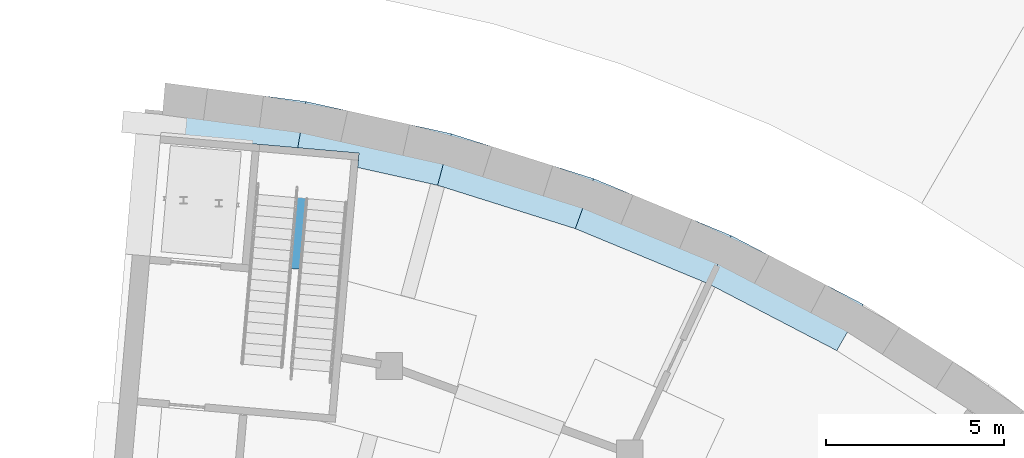
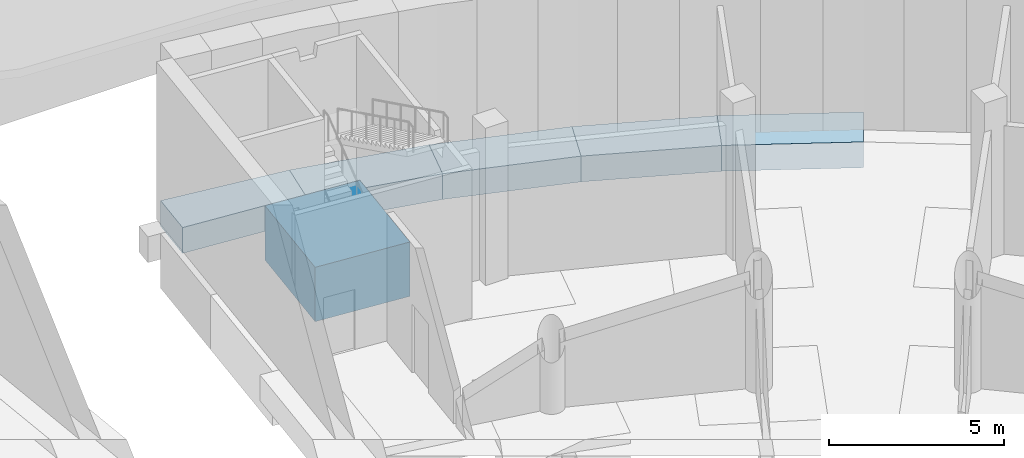
# One storey, part 7 of 65: 6 footings.
"""IFC4 building model written with IfcOpenShell, lengths in metres."""

from ifc_helpers import new_model, si_unit, direction, frame, origin, place, context, subcontext, project, spatial, polyline, outline, extrude, material, type_object, element, save


model = new_model("IFC4")

# Units and contexts
model_context = context("Model", 3, precision=1e-05, world=origin(), true_north=direction((0.0, 1.0)))
body_context = subcontext(model_context, "Body", "Model", "MODEL_VIEW")
ifc_project = project(units=[si_unit("LENGTHUNIT", "METRE"), si_unit("AREAUNIT", "SQUARE_METRE"), si_unit("VOLUMEUNIT", "CUBIC_METRE"), si_unit("PLANEANGLEUNIT", "RADIAN"), si_unit("MASSUNIT", "GRAM", prefix="KILO")], contexts=[model_context])

# Site, building, storey
site_placement = place(None, origin())
site = spatial("IfcSite", under=ifc_project, at=site_placement, CompositionType="ELEMENT")
building_placement = place(site_placement, origin())
building = spatial("IfcBuilding", under=site, at=building_placement, Name="Volute Hill Aquarium", CompositionType="ELEMENT")
storey_placement = place(building_placement, frame((0.0, 0.0, -5.5)))
storey = spatial("IfcBuildingStorey", under=building, at=storey_placement, Name="L00", CompositionType="ELEMENT", Elevation=-5.5)

# Footings
ifc_material_1 = material(Name="Concrete C30/37", Category="concrete")
footing_type_1 = type_object("IfcFootingType", Name="Lift core raft footing 1900 C30/37", PredefinedType="PAD_FOOTING", material=ifc_material_1)
footing_1_placement = place(storey_placement, frame((0.0, 0.0, -1.89990234375)))
element("IfcFooting", 1, at=footing_1_placement, inside=storey, type_object=footing_type_1, Name="ft/S5/L00/raftB2", PredefinedType="PAD_FOOTING", context=body_context, shape_type="SweptSolid", body=[
    extrude(outline(polyline([(6.550048828125, 42.74169921875), (6.846435546875, 46.12890625), (9.8349609375, 45.867431640625), (9.538818359375, 42.480224609375), (6.550048828125, 42.74169921875)])), origin(), (0.0, 0.0, 1.0), 1.89990234375),
])
ifc_material_2 = material(Name="Concrete C30/37", Category="concrete")
footing_type_2 = type_object("IfcFootingType", Name="Outer wall strip footing 1500x900 C30/37", PredefinedType="STRIP_FOOTING", material=ifc_material_2)
footing_2_placement = place(storey_placement, frame((0.0, 0.0, -0.89990234375)))
element("IfcFooting", 2, at=footing_2_placement, inside=storey, type_object=footing_type_2, Name="ft/S5/L00/outer5", PredefinedType="STRIP_FOOTING", context=body_context, shape_type="SweptSolid", body=[
    extrude(outline(polyline([(20.306884765625, 43.548095703125), (24.02490234375, 41.612548828125), (23.27490234375, 40.3134765625), (19.6728515625, 42.188720703125), (20.306884765625, 43.548095703125)])), origin(), (0.0, 0.0, 1.0), 0.89990234375),
])
footing_3_placement = place(storey_placement, frame((0.0, 0.0, -0.89990234375)))
element("IfcFooting", 3, at=footing_3_placement, inside=storey, type_object=footing_type_2, Name="ft/S5/L00/outer6", PredefinedType="STRIP_FOOTING", context=body_context, shape_type="SweptSolid", body=[
    extrude(outline(polyline([(16.43408203125, 45.152099609375), (20.306884765625, 43.548095703125), (19.6728515625, 42.188720703125), (15.9208984375, 43.74267578125), (16.43408203125, 45.152099609375)])), origin(), (0.0, 0.0, 1.0), 0.89990234375),
])
footing_4_placement = place(storey_placement, frame((0.0, 0.0, -0.89990234375)))
element("IfcFooting", 4, at=footing_4_placement, inside=storey, type_object=footing_type_2, Name="ft/S5/L00/outer7", PredefinedType="STRIP_FOOTING", context=body_context, shape_type="SweptSolid", body=[
    extrude(outline(polyline([(12.436279296875, 46.41259765625), (16.43408203125, 45.152099609375), (15.9208984375, 43.74267578125), (12.048095703125, 44.9638671875), (12.436279296875, 46.41259765625)])), origin(), (0.0, 0.0, 1.0), 0.89990234375),
])
footing_5_placement = place(storey_placement, frame((0.0, 0.0, -0.89990234375)))
element("IfcFooting", 5, at=footing_5_placement, inside=storey, type_object=footing_type_2, Name="ft/S5/L00/outer8", PredefinedType="STRIP_FOOTING", context=body_context, shape_type="SweptSolid", body=[
    extrude(outline(polyline([(8.34375, 47.320068359375), (12.436279296875, 46.41259765625), (12.048095703125, 44.9638671875), (9.799560546875, 45.46240234375), (9.8349609375, 45.867431640625), (8.1142578125, 46.017822265625), (8.34375, 47.320068359375)])), origin(), (0.0, 0.0, 1.0), 0.89990234375),
])
footing_6_placement = place(storey_placement, frame((0.0, 0.0, -0.89990234375)))
element("IfcFooting", 6, at=footing_6_placement, inside=storey, type_object=footing_type_2, Name="ft/S5/L00/outer9", PredefinedType="STRIP_FOOTING", context=body_context, shape_type="SweptSolid", body=[
    extrude(outline(polyline([(8.1142578125, 46.017822265625), (4.95361328125, 46.29443359375), (4.95361328125, 46.29443359375), (4.25634765625, 46.35546875), (4.38623046875, 47.841064453125), (8.34375, 47.320068359375), (8.1142578125, 46.017822265625)])), origin(), (0.0, 0.0, 1.0), 0.89990234375),
])

save(model, "model.ifc")
